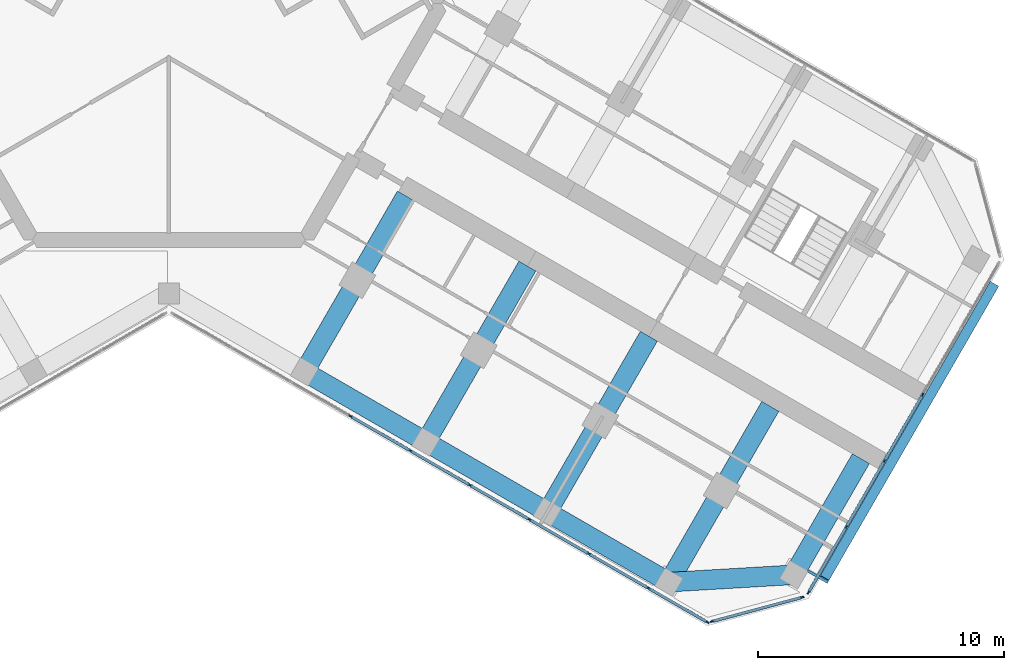
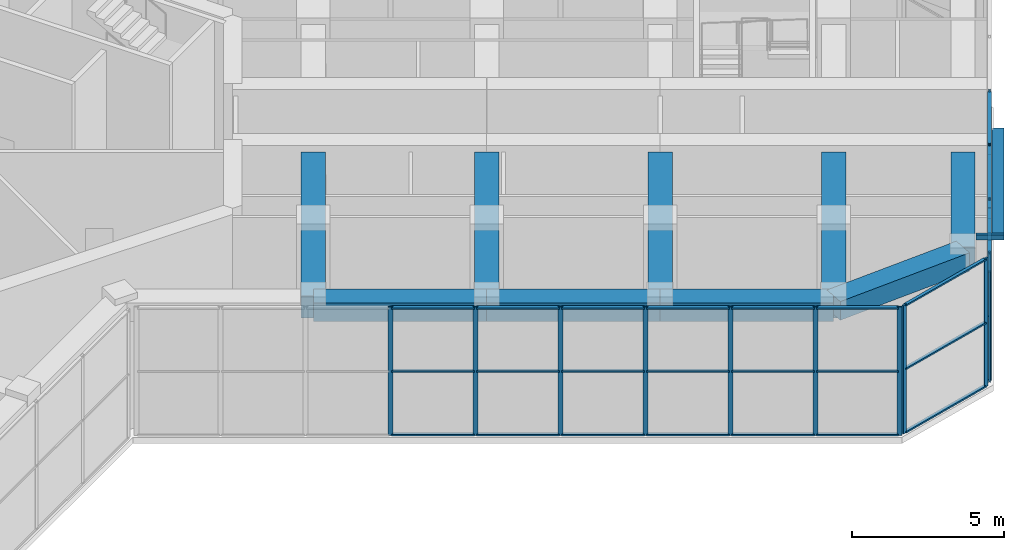
# One storey, part 5 of 16: 45 members, 9 beams, 3 elements without a shape of their own.
"""IFC4 building model written with IfcOpenShell, lengths in metres."""

from ifc_helpers import new_model, si_unit, direction, frame, origin, origin_2d, place, context, subcontext, project, spatial, rectangle, hollow_rectangle, extrude, material, material_profile, profile_set, type_object, element, aggregate, save


model = new_model("IFC4")

# Units and contexts
model_context = context("Model", 3, precision=1e-05, world=origin(), true_north=direction((0.0, 1.0)))
body_context = subcontext(model_context, "Body", "Model", "MODEL_VIEW")
ifc_project = project(units=[si_unit("LENGTHUNIT", "METRE"), si_unit("AREAUNIT", "SQUARE_METRE"), si_unit("VOLUMEUNIT", "CUBIC_METRE"), si_unit("PLANEANGLEUNIT", "RADIAN"), si_unit("MASSUNIT", "GRAM", prefix="KILO")], contexts=[model_context])

# Site, building, storey
site_placement = place(None, origin())
site = spatial("IfcSite", under=ifc_project, at=site_placement, CompositionType="ELEMENT")
building_placement = place(site_placement, origin())
building = spatial("IfcBuilding", under=site, at=building_placement, Name="Kosmar Iwan School Tower", CompositionType="ELEMENT")
storey_placement = place(building_placement, frame((0.0, 0.0, 226.199951171875)))
storey = spatial("IfcBuildingStorey", under=building, at=storey_placement, Name="L57", CompositionType="ELEMENT", Elevation=226.199951171875)

# Members
ifc_material_1 = material(Name="Black anodised aluminium", Category="aluminium")
ifc_material_profile_1 = material_profile(ifc_material_1, rectangle(XDim=0.10009765625, YDim=0.39990234375, at=origin_2d()), Name="FIN 100x400")
ifc_profile_set_1 = profile_set([ifc_material_profile_1], Name="Black anodised aluminium")
member_type_1 = type_object("IfcMemberType", Name="Diagonal fin 100x400", PredefinedType="USERDEFINED", material=ifc_profile_set_1)
member_1_placement = place(storey_placement, frame((33.54345703125, -11.40087890625, -0.14990234375), z_axis=(-0.465600718069, -0.806459003444, 0.364472011405), x_axis=(0.182233479836, 0.315643479142, 0.931214343157)))
element("IfcMember", 1, at=member_1_placement, inside=storey, type_object=member_type_1, Name="Diagonal fin L57-F01", ObjectType="FIN", PredefinedType="USERDEFINED", context=body_context, shape_type="SweptSolid", body=[
    extrude(rectangle(XDim=0.10009765625, YDim=0.39990234375, at=origin_2d()), origin(), (0.0, 0.0, 1.0), 14.815673828125),
])
ifc_material_2 = material(Name="Steel S355", Category="steel")
ifc_material_profile_2 = material_profile(ifc_material_2, hollow_rectangle(XDim=0.10009765625, YDim=0.199951171875, WallThickness=0.008056640625, at=origin_2d()), Name="RHS 200x100x8")
ifc_profile_set_2 = profile_set([ifc_material_profile_2], Name="Steel S355")
member_type_2 = type_object("IfcMemberType", Name="Fin bracket RHS 200x100", PredefinedType="USERDEFINED", material=ifc_profile_set_2)
member_2_placement = place(storey_placement, frame((25.97900390625, -23.052978515625, 5.275146484375), z_axis=(0.865943820382, -0.500141279983, 0.0), x_axis=(0.500141279983, 0.865943820382, 0.0)))
element("IfcMember", 2, at=member_2_placement, inside=storey, type_object=member_type_2, Name="Fin bracket L58", ObjectType="FIN BRACKET", PredefinedType="USERDEFINED", context=body_context, shape_type="SweptSolid", body=[
    extrude(hollow_rectangle(XDim=0.10009765625, YDim=0.199951171875, WallThickness=0.008056640625, at=origin_2d()), origin(), (0.0, 0.0, 1.0), 0.925048828125),
])

# Curtain wall, members
ifc_material_3 = material(Name="Dark glass in black aluminium frame", Category="aluminium")
curtain_wall_type_1 = type_object("IfcCurtainWallType", Name="Chamfer curtain wall dark glass", PredefinedType="USERDEFINED", material=ifc_material_3)
curtain_wall_1_placement = place(storey_placement, origin())
curtain_wall_1 = element("IfcCurtainWall", 3, at=curtain_wall_1_placement, inside=storey, type_object=curtain_wall_type_1, Name="Curtain wall L57-F00", ObjectType="FACETED CURTAIN WALL", PredefinedType="USERDEFINED")
ifc_material_4 = material(Name="Black anodised aluminium", Category="aluminium")
ifc_material_profile_3 = material_profile(ifc_material_4, rectangle(XDim=0.06005859375, YDim=0.159912109375, at=origin_2d()), Name="MULLION 60x160")
ifc_profile_set_3 = profile_set([ifc_material_profile_3], Name="Black anodised aluminium")
member_type_3 = type_object("IfcMemberType", Name="Mullion 60x160", PredefinedType="MULLION", material=ifc_profile_set_3)
member_3_placement = place(storey_placement, frame((22.0830078125, -25.102294921875, 0.0), z_axis=(0.0, 0.0, 1.0), x_axis=(-0.258818861462, 0.965925875495, 0.0)))
member_3 = element("IfcMember", 4, at=member_3_placement, type_object=member_type_3, Name="CW2 mullion 1", PredefinedType="MULLION", context=body_context, shape_type="SweptSolid", body=[
    extrude(rectangle(XDim=0.06005859375, YDim=0.159912109375, at=origin_2d()), origin(), (0.0, 0.0, 1.0), 5.150146484375),
])
member_4_placement = place(storey_placement, frame((25.733154296875, -24.124267578125, 0.0), z_axis=(0.0, 0.0, 1.0), x_axis=(-0.258818861462, 0.965925875495, 0.0)))
member_4 = element("IfcMember", 5, at=member_4_placement, type_object=member_type_3, Name="CW2 mullion 2", PredefinedType="MULLION", context=body_context, shape_type="SweptSolid", body=[
    extrude(rectangle(XDim=0.06005859375, YDim=0.159912109375, at=origin_2d()), origin(), (0.0, 0.0, 1.0), 5.150146484375),
])

ifc_material_5 = material(Name="Dark glass in black aluminium frame", Category="aluminium")
curtain_wall_type_2 = type_object("IfcCurtainWallType", Name="Tower curtain wall dark glass", PredefinedType="USERDEFINED", material=ifc_material_5)
curtain_wall_2_placement = place(storey_placement, origin())
curtain_wall_2 = element("IfcCurtainWall", 6, at=curtain_wall_2_placement, inside=storey, type_object=curtain_wall_type_2, Name="Curtain wall L57-F01", ObjectType="UNITISED CURTAIN WALL", PredefinedType="USERDEFINED")
member_5_placement = place(storey_placement, frame((25.9970703125, -23.921630859375, 0.0), z_axis=(0.0, 0.0, 1.0), x_axis=(-0.866025405329, 0.499999997325, 0.0)))
member_5 = element("IfcMember", 7, at=member_5_placement, type_object=member_type_3, Name="CW1 mullion 1", PredefinedType="MULLION", context=body_context, shape_type="SweptSolid", body=[
    extrude(rectangle(XDim=0.06005859375, YDim=0.159912109375, at=origin_2d()), origin(), (0.0, 0.0, 1.0), 5.150146484375),
])
member_6_placement = place(storey_placement, frame((27.53173828125, -21.263671875, 0.0), z_axis=(0.0, 0.0, 1.0), x_axis=(-0.866025405329, 0.499999997325, 0.0)))
member_6 = element("IfcMember", 8, at=member_6_placement, type_object=member_type_3, Name="CW1 mullion 2", PredefinedType="MULLION", context=body_context, shape_type="SweptSolid", body=[
    extrude(rectangle(XDim=0.06005859375, YDim=0.159912109375, at=origin_2d()), origin(), (0.0, 0.0, 1.0), 5.150146484375),
])
member_7_placement = place(storey_placement, frame((29.081298828125, -18.57958984375, 0.0), z_axis=(0.0, 0.0, 1.0), x_axis=(-0.866025405329, 0.499999997325, 0.0)))
member_7 = element("IfcMember", 9, at=member_7_placement, type_object=member_type_3, Name="CW1 mullion 3", PredefinedType="MULLION", context=body_context, shape_type="SweptSolid", body=[
    extrude(rectangle(XDim=0.06005859375, YDim=0.159912109375, at=origin_2d()), origin(), (0.0, 0.0, 1.0), 5.150146484375),
])
member_8_placement = place(storey_placement, frame((30.631103515625, -15.8955078125, 0.0), z_axis=(0.0, 0.0, 1.0), x_axis=(-0.866025405329, 0.499999997325, 0.0)))
member_8 = element("IfcMember", 10, at=member_8_placement, type_object=member_type_3, Name="CW1 mullion 4", PredefinedType="MULLION", context=body_context, shape_type="SweptSolid", body=[
    extrude(rectangle(XDim=0.06005859375, YDim=0.159912109375, at=origin_2d()), origin(), (0.0, 0.0, 1.0), 5.150146484375),
])

ifc_material_6 = material(Name="Dark glass in black aluminium frame", Category="aluminium")
curtain_wall_type_3 = type_object("IfcCurtainWallType", Name="Winter garden curtain wall", PredefinedType="USERDEFINED", material=ifc_material_6)
curtain_wall_3_placement = place(storey_placement, origin())
curtain_wall_3 = element("IfcCurtainWall", 11, at=curtain_wall_3_placement, inside=storey, type_object=curtain_wall_type_3, Name="Curtain wall L57-F14", ObjectType="WINTER GARDEN CURTAIN WALL", PredefinedType="USERDEFINED")
member_9_placement = place(storey_placement, frame((7.39501953125, -16.76904296875, 0.0), z_axis=(0.0, 0.0, 1.0), x_axis=(0.500000014888, 0.866025395189, 0.0)))
member_9 = element("IfcMember", 12, at=member_9_placement, type_object=member_type_3, Name="CW7 mullion 4", PredefinedType="MULLION", context=body_context, shape_type="SweptSolid", body=[
    extrude(rectangle(XDim=0.06005859375, YDim=0.159912109375, at=origin_2d()), origin(), (0.0, 0.0, 1.0), 5.150146484375),
])
member_10_placement = place(storey_placement, frame((9.81396484375, -18.165771484375, 0.0), z_axis=(0.0, 0.0, 1.0), x_axis=(0.500000014888, 0.866025395189, 0.0)))
member_10 = element("IfcMember", 13, at=member_10_placement, type_object=member_type_3, Name="CW7 mullion 5", PredefinedType="MULLION", context=body_context, shape_type="SweptSolid", body=[
    extrude(rectangle(XDim=0.06005859375, YDim=0.159912109375, at=origin_2d()), origin(), (0.0, 0.0, 1.0), 5.150146484375),
])
member_11_placement = place(storey_placement, frame((12.23291015625, -19.562255859375, 0.0), z_axis=(0.0, 0.0, 1.0), x_axis=(0.500000014888, 0.866025395189, 0.0)))
member_11 = element("IfcMember", 14, at=member_11_placement, type_object=member_type_3, Name="CW7 mullion 6", PredefinedType="MULLION", context=body_context, shape_type="SweptSolid", body=[
    extrude(rectangle(XDim=0.06005859375, YDim=0.159912109375, at=origin_2d()), origin(), (0.0, 0.0, 1.0), 5.150146484375),
])
member_12_placement = place(storey_placement, frame((14.652099609375, -20.958984375, 0.0), z_axis=(0.0, 0.0, 1.0), x_axis=(0.500000014888, 0.866025395189, 0.0)))
member_12 = element("IfcMember", 15, at=member_12_placement, type_object=member_type_3, Name="CW7 mullion 7", PredefinedType="MULLION", context=body_context, shape_type="SweptSolid", body=[
    extrude(rectangle(XDim=0.06005859375, YDim=0.159912109375, at=origin_2d()), origin(), (0.0, 0.0, 1.0), 5.150146484375),
])
member_13_placement = place(storey_placement, frame((17.071044921875, -22.35546875, 0.0), z_axis=(0.0, 0.0, 1.0), x_axis=(0.500000014888, 0.866025395189, 0.0)))
member_13 = element("IfcMember", 16, at=member_13_placement, type_object=member_type_3, Name="CW7 mullion 8", PredefinedType="MULLION", context=body_context, shape_type="SweptSolid", body=[
    extrude(rectangle(XDim=0.06005859375, YDim=0.159912109375, at=origin_2d()), origin(), (0.0, 0.0, 1.0), 5.150146484375),
])
member_14_placement = place(storey_placement, frame((19.489990234375, -23.752197265625, 0.0), z_axis=(0.0, 0.0, 1.0), x_axis=(0.500000014888, 0.866025395189, 0.0)))
member_14 = element("IfcMember", 17, at=member_14_placement, type_object=member_type_3, Name="CW7 mullion 9", PredefinedType="MULLION", context=body_context, shape_type="SweptSolid", body=[
    extrude(rectangle(XDim=0.06005859375, YDim=0.159912109375, at=origin_2d()), origin(), (0.0, 0.0, 1.0), 5.150146484375),
])
member_15_placement = place(storey_placement, frame((21.883056640625, -25.1337890625, 0.0), z_axis=(0.0, 0.0, 1.0), x_axis=(0.500000014888, 0.866025395189, 0.0)))
member_15 = element("IfcMember", 18, at=member_15_placement, type_object=member_type_3, Name="CW7 mullion 10", PredefinedType="MULLION", context=body_context, shape_type="SweptSolid", body=[
    extrude(rectangle(XDim=0.06005859375, YDim=0.159912109375, at=origin_2d()), origin(), (0.0, 0.0, 1.0), 5.150146484375),
])

# Beams
ifc_material_7 = material(Name="Concrete C50/60", Category="concrete")
ifc_material_profile_4 = material_profile(ifc_material_7, rectangle(XDim=0.800048828125, YDim=0.75, at=origin_2d()), Name="RC 800x750")
ifc_profile_set_4 = profile_set([ifc_material_profile_4], Name="Concrete C50/60")
beam_type_1 = type_object("IfcBeamType", Name="RC edge beam 800x750", PredefinedType="BEAM", material=ifc_profile_set_4)
beam_1_placement = place(storey_placement, frame((5.5087890625, -14.95849609375, 4.775146484375), z_axis=(0.866033658841, -0.49998570155, 0.0), x_axis=(0.49998570155, 0.866033658841, 0.0)))
element("IfcBeam", 19, at=beam_1_placement, inside=storey, type_object=beam_type_1, Name="Edge beam CR2", PredefinedType="BEAM", context=body_context, shape_type="SweptSolid", body=[
    extrude(rectangle(XDim=0.800048828125, YDim=0.75, at=origin_2d()), origin(), (0.0, 0.0, 1.0), 5.699951171875),
])
beam_2_placement = place(storey_placement, frame((10.445068359375, -17.808349609375, 4.775146484375), z_axis=(0.866025820012, -0.499999279071, 0.0), x_axis=(0.499999279071, 0.866025820012, 0.0)))
element("IfcBeam", 20, at=beam_2_placement, inside=storey, type_object=beam_type_1, Name="Edge beam CR3", PredefinedType="BEAM", context=body_context, shape_type="SweptSolid", body=[
    extrude(rectangle(XDim=0.800048828125, YDim=0.75, at=origin_2d()), origin(), (0.0, 0.0, 1.0), 5.7001953125),
])
beam_3_placement = place(storey_placement, frame((15.381591796875, -20.658447265625, 4.775146484375), z_axis=(0.866015111908, -0.50001782563, 0.0), x_axis=(0.50001782563, 0.866015111908, 0.0)))
element("IfcBeam", 21, at=beam_3_placement, inside=storey, type_object=beam_type_1, Name="Edge beam CR4", PredefinedType="BEAM", context=body_context, shape_type="SweptSolid", body=[
    extrude(rectangle(XDim=0.800048828125, YDim=0.75, at=origin_2d()), origin(), (0.0, 0.0, 1.0), 5.699951171875),
])
ifc_material_8 = material(Name="Concrete C50/60", Category="concrete")
ifc_material_profile_5 = material_profile(ifc_material_8, rectangle(XDim=0.800048828125, YDim=0.75, at=origin_2d()), Name="RC 800x750")
ifc_profile_set_5 = profile_set([ifc_material_profile_5], Name="Concrete C50/60")
beam_type_2 = type_object("IfcBeamType", Name="RC tip beam 800x750", PredefinedType="BEAM", material=ifc_profile_set_5)
beam_4_placement = place(storey_placement, frame((20.31787109375, -23.508544921875, 4.775146484375), z_axis=(0.998260616478, 0.058955420358, 0.0), x_axis=(-0.058955420358, 0.998260616478, 0.0)))
element("IfcBeam", 22, at=beam_4_placement, inside=storey, type_object=beam_type_2, Name="Tip beam CR", PredefinedType="BEAM", context=body_context, shape_type="SweptSolid", body=[
    extrude(rectangle(XDim=0.800048828125, YDim=0.75, at=origin_2d()), origin(), (0.0, 0.0, 1.0), 5.08935546875),
])
beam_5_placement = place(storey_placement, frame((25.3984375, -23.20849609375, 4.775146484375), z_axis=(0.500022328685, 0.866012511928, 0.0), x_axis=(-0.866012511928, 0.500022328685, 0.0)))
element("IfcBeam", 23, at=beam_5_placement, inside=storey, type_object=beam_type_2, Name="Tip beam CR to corridor wall", PredefinedType="BEAM", context=body_context, shape_type="SweptSolid", body=[
    extrude(rectangle(XDim=0.800048828125, YDim=0.75, at=origin_2d()), origin(), (0.0, 0.0, 1.0), 5.449951171875),
])
ifc_material_9 = material(Name="Concrete C50/60", Category="concrete")
ifc_material_profile_6 = material_profile(ifc_material_9, rectangle(XDim=0.800048828125, YDim=0.89990234375, at=origin_2d()), Name="RC 800x900")
ifc_profile_set_6 = profile_set([ifc_material_profile_6], Name="Concrete C50/60")
beam_type_3 = type_object("IfcBeamType", Name="RC transverse beam 800x900", PredefinedType="BEAM", material=ifc_profile_set_6)
beam_6_placement = place(storey_placement, frame((5.5087890625, -14.95849609375, 4.699951171875), z_axis=(0.499996545922, 0.866027397988, 0.0), x_axis=(-0.866027397988, 0.499996545922, 0.0)))
element("IfcBeam", 24, at=beam_6_placement, inside=storey, type_object=beam_type_3, Name="Transverse beam CR1", PredefinedType="BEAM", context=body_context, shape_type="SweptSolid", body=[
    extrude(rectangle(XDim=0.800048828125, YDim=0.89990234375, at=origin_2d()), origin(), (0.0, 0.0, 1.0), 8.25),
])
beam_7_placement = place(storey_placement, frame((10.445068359375, -17.808349609375, 4.699951171875), z_axis=(0.500009360108, 0.866019999656, 0.0), x_axis=(-0.866019999656, 0.500009360108, 0.0)))
element("IfcBeam", 25, at=beam_7_placement, inside=storey, type_object=beam_type_3, Name="Transverse beam CR2", PredefinedType="BEAM", context=body_context, shape_type="SweptSolid", body=[
    extrude(rectangle(XDim=0.800048828125, YDim=0.89990234375, at=origin_2d()), origin(), (0.0, 0.0, 1.0), 8.249755859375),
])
for number, where, z_axis, x_axis, name in (
    (26, (15.381591796875, -20.658447265625, 4.699951171875), (0.499996545922, 0.866027397988, 0.0), (-0.866027397988, 0.499996545922, 0.0), "Transverse beam CR3"),
    (27, (20.31787109375, -23.508544921875, 4.699951171875), (0.499996545922, 0.866027397988, 0.0), (-0.866027397988, 0.499996545922, 0.0), "Transverse beam CR4"),
):
    element("IfcBeam", number, at=place(storey_placement, frame(where, z_axis=z_axis, x_axis=x_axis)), inside=storey, type_object=beam_type_3, Name=name, PredefinedType="BEAM", context=body_context, shape_type="SweptSolid", body=[
        extrude(rectangle(XDim=0.800048828125, YDim=0.89990234375, at=origin_2d()), origin(), (0.0, 0.0, 1.0), 8.25),
    ])

# Member
ifc_material_10 = material(Name="Black anodised aluminium", Category="aluminium")
ifc_material_profile_7 = material_profile(ifc_material_10, rectangle(XDim=0.1201171875, YDim=0.06005859375, at=origin_2d()), Name="TRANSOM 60x120")
ifc_profile_set_7 = profile_set([ifc_material_profile_7], Name="Black anodised aluminium")
member_type_4 = type_object("IfcMemberType", Name="Transom 60x120", PredefinedType="USERDEFINED", material=ifc_profile_set_7)
member_16_placement = place(storey_placement, frame((22.11181640625, -25.094482421875, 0.030029296875), z_axis=(0.965923731726, 0.258826861991, 0.0), x_axis=(-0.258826861991, 0.965923731726, 0.0)))
member_16 = element("IfcMember", 28, at=member_16_placement, type_object=member_type_4, Name="CW2 transom 1.1", ObjectType="TRANSOM", PredefinedType="USERDEFINED", context=body_context, shape_type="SweptSolid", body=[
    extrude(rectangle(XDim=0.1201171875, YDim=0.06005859375, at=origin_2d()), origin(), (0.0, 0.0, 1.0), 3.71923828125),
])

member_17_placement = place(storey_placement, frame((22.11181640625, -25.094482421875, 2.574951171875), z_axis=(0.965923731726, 0.258826861991, 0.0), x_axis=(-0.258826861991, 0.965923731726, 0.0)))
member_17 = element("IfcMember", 29, at=member_17_placement, type_object=member_type_4, Name="CW2 transom 1.2", ObjectType="TRANSOM", PredefinedType="USERDEFINED", context=body_context, shape_type="SweptSolid", body=[
    extrude(rectangle(XDim=0.1201171875, YDim=0.06005859375, at=origin_2d()), origin(), (0.0, 0.0, 1.0), 3.71923828125),
])

member_18_placement = place(storey_placement, frame((22.11181640625, -25.094482421875, 5.1201171875), z_axis=(0.965923731726, 0.258826861991, 0.0), x_axis=(-0.258826861991, 0.965923731726, 0.0)))
member_18 = element("IfcMember", 30, at=member_18_placement, type_object=member_type_4, Name="CW2 transom 1.3", ObjectType="TRANSOM", PredefinedType="USERDEFINED", context=body_context, shape_type="SweptSolid", body=[
    extrude(rectangle(XDim=0.1201171875, YDim=0.06005859375, at=origin_2d()), origin(), (0.0, 0.0, 1.0), 3.71923828125),
])

aggregate(curtain_wall_1, [member_3, member_4, member_16, member_17, member_18])

member_19_placement = place(storey_placement, frame((26.01220703125, -23.895751953125, 0.030029296875), z_axis=(0.499986971506, 0.866032925658, 0.0), x_axis=(-0.866032925658, 0.499986971506, 0.0)))
member_19 = element("IfcMember", 31, at=member_19_placement, type_object=member_type_4, Name="CW1 transom 1.1", ObjectType="TRANSOM", PredefinedType="USERDEFINED", context=body_context, shape_type="SweptSolid", body=[
    extrude(rectangle(XDim=0.1201171875, YDim=0.06005859375, at=origin_2d()), origin(), (0.0, 0.0, 1.0), 3.00927734375),
])

member_20_placement = place(storey_placement, frame((26.01220703125, -23.895751953125, 2.574951171875), z_axis=(0.499986971506, 0.866032925658, 0.0), x_axis=(-0.866032925658, 0.499986971506, 0.0)))
member_20 = element("IfcMember", 32, at=member_20_placement, type_object=member_type_4, Name="CW1 transom 1.2", ObjectType="TRANSOM", PredefinedType="USERDEFINED", context=body_context, shape_type="SweptSolid", body=[
    extrude(rectangle(XDim=0.1201171875, YDim=0.06005859375, at=origin_2d()), origin(), (0.0, 0.0, 1.0), 3.00927734375),
])

member_21_placement = place(storey_placement, frame((26.01220703125, -23.895751953125, 5.1201171875), z_axis=(0.499986971506, 0.866032925658, 0.0), x_axis=(-0.866032925658, 0.499986971506, 0.0)))
member_21 = element("IfcMember", 33, at=member_21_placement, type_object=member_type_4, Name="CW1 transom 1.3", ObjectType="TRANSOM", PredefinedType="USERDEFINED", context=body_context, shape_type="SweptSolid", body=[
    extrude(rectangle(XDim=0.1201171875, YDim=0.06005859375, at=origin_2d()), origin(), (0.0, 0.0, 1.0), 3.00927734375),
])

member_22_placement = place(storey_placement, frame((27.546875, -21.237548828125, 0.030029296875), z_axis=(0.499975102327, 0.866039777986, 0.0), x_axis=(-0.866039777986, 0.499975102327, 0.0)))
member_22 = element("IfcMember", 34, at=member_22_placement, type_object=member_type_4, Name="CW1 transom 2.1", ObjectType="TRANSOM", PredefinedType="USERDEFINED", context=body_context, shape_type="SweptSolid", body=[
    extrude(rectangle(XDim=0.1201171875, YDim=0.06005859375, at=origin_2d()), origin(), (0.0, 0.0, 1.0), 3.039306640625),
])

member_23_placement = place(storey_placement, frame((27.546875, -21.237548828125, 2.574951171875), z_axis=(0.499975102327, 0.866039777986, 0.0), x_axis=(-0.866039777986, 0.499975102327, 0.0)))
member_23 = element("IfcMember", 35, at=member_23_placement, type_object=member_type_4, Name="CW1 transom 2.2", ObjectType="TRANSOM", PredefinedType="USERDEFINED", context=body_context, shape_type="SweptSolid", body=[
    extrude(rectangle(XDim=0.1201171875, YDim=0.06005859375, at=origin_2d()), origin(), (0.0, 0.0, 1.0), 3.039306640625),
])

member_24_placement = place(storey_placement, frame((27.546875, -21.237548828125, 5.1201171875), z_axis=(0.499975102327, 0.866039777986, 0.0), x_axis=(-0.866039777986, 0.499975102327, 0.0)))
member_24 = element("IfcMember", 36, at=member_24_placement, type_object=member_type_4, Name="CW1 transom 2.3", ObjectType="TRANSOM", PredefinedType="USERDEFINED", context=body_context, shape_type="SweptSolid", body=[
    extrude(rectangle(XDim=0.1201171875, YDim=0.06005859375, at=origin_2d()), origin(), (0.0, 0.0, 1.0), 3.039306640625),
])

member_25_placement = place(storey_placement, frame((29.096435546875, -18.553466796875, 0.030029296875), z_axis=(0.499975102327, 0.866039777986, 0.0), x_axis=(-0.866039777986, 0.499975102327, 0.0)))
member_25 = element("IfcMember", 37, at=member_25_placement, type_object=member_type_4, Name="CW1 transom 3.1", ObjectType="TRANSOM", PredefinedType="USERDEFINED", context=body_context, shape_type="SweptSolid", body=[
    extrude(rectangle(XDim=0.1201171875, YDim=0.06005859375, at=origin_2d()), origin(), (0.0, 0.0, 1.0), 3.039306640625),
])

member_26_placement = place(storey_placement, frame((29.096435546875, -18.553466796875, 2.574951171875), z_axis=(0.499975102327, 0.866039777986, 0.0), x_axis=(-0.866039777986, 0.499975102327, 0.0)))
member_26 = element("IfcMember", 38, at=member_26_placement, type_object=member_type_4, Name="CW1 transom 3.2", ObjectType="TRANSOM", PredefinedType="USERDEFINED", context=body_context, shape_type="SweptSolid", body=[
    extrude(rectangle(XDim=0.1201171875, YDim=0.06005859375, at=origin_2d()), origin(), (0.0, 0.0, 1.0), 3.039306640625),
])

member_27_placement = place(storey_placement, frame((29.096435546875, -18.553466796875, 5.1201171875), z_axis=(0.499975102327, 0.866039777986, 0.0), x_axis=(-0.866039777986, 0.499975102327, 0.0)))
member_27 = element("IfcMember", 39, at=member_27_placement, type_object=member_type_4, Name="CW1 transom 3.3", ObjectType="TRANSOM", PredefinedType="USERDEFINED", context=body_context, shape_type="SweptSolid", body=[
    extrude(rectangle(XDim=0.1201171875, YDim=0.06005859375, at=origin_2d()), origin(), (0.0, 0.0, 1.0), 3.039306640625),
])

aggregate(curtain_wall_2, [member_5, member_6, member_7, member_8, member_19, member_20, member_21, member_22, member_23, member_24, member_25, member_26, member_27])

member_28_placement = place(storey_placement, frame((7.4208984375, -16.7841796875, 0.030029296875), z_axis=(0.866041295585, -0.499972473583, 0.0), x_axis=(0.499972473583, 0.866041295585, 0.0)))
member_28 = element("IfcMember", 40, at=member_28_placement, type_object=member_type_4, Name="CW7 transom 4.1", ObjectType="TRANSOM", PredefinedType="USERDEFINED", context=body_context, shape_type="SweptSolid", body=[
    extrude(rectangle(XDim=0.1201171875, YDim=0.06005859375, at=origin_2d()), origin(), (0.0, 0.0, 1.0), 2.733154296875),
])

member_29_placement = place(storey_placement, frame((7.4208984375, -16.7841796875, 2.574951171875), z_axis=(0.866041295585, -0.499972473583, 0.0), x_axis=(0.499972473583, 0.866041295585, 0.0)))
member_29 = element("IfcMember", 41, at=member_29_placement, type_object=member_type_4, Name="CW7 transom 4.2", ObjectType="TRANSOM", PredefinedType="USERDEFINED", context=body_context, shape_type="SweptSolid", body=[
    extrude(rectangle(XDim=0.1201171875, YDim=0.06005859375, at=origin_2d()), origin(), (0.0, 0.0, 1.0), 2.733154296875),
])

member_30_placement = place(storey_placement, frame((7.4208984375, -16.7841796875, 5.1201171875), z_axis=(0.866041295585, -0.499972473583, 0.0), x_axis=(0.499972473583, 0.866041295585, 0.0)))
member_30 = element("IfcMember", 42, at=member_30_placement, type_object=member_type_4, Name="CW7 transom 4.3", ObjectType="TRANSOM", PredefinedType="USERDEFINED", context=body_context, shape_type="SweptSolid", body=[
    extrude(rectangle(XDim=0.1201171875, YDim=0.06005859375, at=origin_2d()), origin(), (0.0, 0.0, 1.0), 2.733154296875),
])

member_31_placement = place(storey_placement, frame((9.83984375, -18.1806640625, 0.030029296875), z_axis=(0.8660249478, -0.500000789788, 0.0), x_axis=(0.500000789788, 0.8660249478, 0.0)))
member_31 = element("IfcMember", 43, at=member_31_placement, type_object=member_type_4, Name="CW7 transom 5.1", ObjectType="TRANSOM", PredefinedType="USERDEFINED", context=body_context, shape_type="SweptSolid", body=[
    extrude(rectangle(XDim=0.1201171875, YDim=0.06005859375, at=origin_2d()), origin(), (0.0, 0.0, 1.0), 2.7333984375),
])

member_32_placement = place(storey_placement, frame((9.83984375, -18.1806640625, 2.574951171875), z_axis=(0.8660249478, -0.500000789788, 0.0), x_axis=(0.500000789788, 0.8660249478, 0.0)))
member_32 = element("IfcMember", 44, at=member_32_placement, type_object=member_type_4, Name="CW7 transom 5.2", ObjectType="TRANSOM", PredefinedType="USERDEFINED", context=body_context, shape_type="SweptSolid", body=[
    extrude(rectangle(XDim=0.1201171875, YDim=0.06005859375, at=origin_2d()), origin(), (0.0, 0.0, 1.0), 2.7333984375),
])

member_33_placement = place(storey_placement, frame((9.83984375, -18.1806640625, 5.1201171875), z_axis=(0.8660249478, -0.500000789788, 0.0), x_axis=(0.500000789788, 0.8660249478, 0.0)))
member_33 = element("IfcMember", 45, at=member_33_placement, type_object=member_type_4, Name="CW7 transom 5.3", ObjectType="TRANSOM", PredefinedType="USERDEFINED", context=body_context, shape_type="SweptSolid", body=[
    extrude(rectangle(XDim=0.1201171875, YDim=0.06005859375, at=origin_2d()), origin(), (0.0, 0.0, 1.0), 2.7333984375),
])

member_34_placement = place(storey_placement, frame((12.259033203125, -19.577392578125, 0.030029296875), z_axis=(0.866041295585, -0.499972473583, 0.0), x_axis=(0.499972473583, 0.866041295585, 0.0)))
member_34 = element("IfcMember", 46, at=member_34_placement, type_object=member_type_4, Name="CW7 transom 6.1", ObjectType="TRANSOM", PredefinedType="USERDEFINED", context=body_context, shape_type="SweptSolid", body=[
    extrude(rectangle(XDim=0.1201171875, YDim=0.06005859375, at=origin_2d()), origin(), (0.0, 0.0, 1.0), 2.733154296875),
])

member_35_placement = place(storey_placement, frame((12.259033203125, -19.577392578125, 2.574951171875), z_axis=(0.866041295585, -0.499972473583, 0.0), x_axis=(0.499972473583, 0.866041295585, 0.0)))
member_35 = element("IfcMember", 47, at=member_35_placement, type_object=member_type_4, Name="CW7 transom 6.2", ObjectType="TRANSOM", PredefinedType="USERDEFINED", context=body_context, shape_type="SweptSolid", body=[
    extrude(rectangle(XDim=0.1201171875, YDim=0.06005859375, at=origin_2d()), origin(), (0.0, 0.0, 1.0), 2.733154296875),
])

member_36_placement = place(storey_placement, frame((12.259033203125, -19.577392578125, 5.1201171875), z_axis=(0.866041295585, -0.499972473583, 0.0), x_axis=(0.499972473583, 0.866041295585, 0.0)))
member_36 = element("IfcMember", 48, at=member_36_placement, type_object=member_type_4, Name="CW7 transom 6.3", ObjectType="TRANSOM", PredefinedType="USERDEFINED", context=body_context, shape_type="SweptSolid", body=[
    extrude(rectangle(XDim=0.1201171875, YDim=0.06005859375, at=origin_2d()), origin(), (0.0, 0.0, 1.0), 2.733154296875),
])

member_37_placement = place(storey_placement, frame((14.677978515625, -20.973876953125, 0.030029296875), z_axis=(0.866002615699, -0.500039468044, 0.0), x_axis=(0.500039468044, 0.866002615699, 0.0)))
member_37 = element("IfcMember", 49, at=member_37_placement, type_object=member_type_4, Name="CW7 transom 7.1", ObjectType="TRANSOM", PredefinedType="USERDEFINED", context=body_context, shape_type="SweptSolid", body=[
    extrude(rectangle(XDim=0.1201171875, YDim=0.06005859375, at=origin_2d()), origin(), (0.0, 0.0, 1.0), 2.733154296875),
])

member_38_placement = place(storey_placement, frame((14.677978515625, -20.973876953125, 2.574951171875), z_axis=(0.866002615699, -0.500039468044, 0.0), x_axis=(0.500039468044, 0.866002615699, 0.0)))
member_38 = element("IfcMember", 50, at=member_38_placement, type_object=member_type_4, Name="CW7 transom 7.2", ObjectType="TRANSOM", PredefinedType="USERDEFINED", context=body_context, shape_type="SweptSolid", body=[
    extrude(rectangle(XDim=0.1201171875, YDim=0.06005859375, at=origin_2d()), origin(), (0.0, 0.0, 1.0), 2.733154296875),
])

member_39_placement = place(storey_placement, frame((14.677978515625, -20.973876953125, 5.1201171875), z_axis=(0.866002615699, -0.500039468044, 0.0), x_axis=(0.500039468044, 0.866002615699, 0.0)))
member_39 = element("IfcMember", 51, at=member_39_placement, type_object=member_type_4, Name="CW7 transom 7.3", ObjectType="TRANSOM", PredefinedType="USERDEFINED", context=body_context, shape_type="SweptSolid", body=[
    extrude(rectangle(XDim=0.1201171875, YDim=0.06005859375, at=origin_2d()), origin(), (0.0, 0.0, 1.0), 2.733154296875),
])

member_40_placement = place(storey_placement, frame((17.096923828125, -22.37060546875, 0.030029296875), z_axis=(0.8660249478, -0.500000789788, 0.0), x_axis=(0.500000789788, 0.8660249478, 0.0)))
member_40 = element("IfcMember", 52, at=member_40_placement, type_object=member_type_4, Name="CW7 transom 8.1", ObjectType="TRANSOM", PredefinedType="USERDEFINED", context=body_context, shape_type="SweptSolid", body=[
    extrude(rectangle(XDim=0.1201171875, YDim=0.06005859375, at=origin_2d()), origin(), (0.0, 0.0, 1.0), 2.7333984375),
])

member_41_placement = place(storey_placement, frame((17.096923828125, -22.37060546875, 2.574951171875), z_axis=(0.8660249478, -0.500000789788, 0.0), x_axis=(0.500000789788, 0.8660249478, 0.0)))
member_41 = element("IfcMember", 53, at=member_41_placement, type_object=member_type_4, Name="CW7 transom 8.2", ObjectType="TRANSOM", PredefinedType="USERDEFINED", context=body_context, shape_type="SweptSolid", body=[
    extrude(rectangle(XDim=0.1201171875, YDim=0.06005859375, at=origin_2d()), origin(), (0.0, 0.0, 1.0), 2.7333984375),
])

member_42_placement = place(storey_placement, frame((17.096923828125, -22.37060546875, 5.1201171875), z_axis=(0.8660249478, -0.500000789788, 0.0), x_axis=(0.500000789788, 0.8660249478, 0.0)))
member_42 = element("IfcMember", 54, at=member_42_placement, type_object=member_type_4, Name="CW7 transom 8.3", ObjectType="TRANSOM", PredefinedType="USERDEFINED", context=body_context, shape_type="SweptSolid", body=[
    extrude(rectangle(XDim=0.1201171875, YDim=0.06005859375, at=origin_2d()), origin(), (0.0, 0.0, 1.0), 2.7333984375),
])

member_43_placement = place(storey_placement, frame((19.51611328125, -23.76708984375, 0.030029296875), z_axis=(0.865994576166, -0.500053391201, 0.0), x_axis=(0.500053391201, 0.865994576166, 0.0)))
member_43 = element("IfcMember", 55, at=member_43_placement, type_object=member_type_4, Name="CW7 transom 9.1", ObjectType="TRANSOM", PredefinedType="USERDEFINED", context=body_context, shape_type="SweptSolid", body=[
    extrude(rectangle(XDim=0.1201171875, YDim=0.06005859375, at=origin_2d()), origin(), (0.0, 0.0, 1.0), 2.703369140625),
])

member_44_placement = place(storey_placement, frame((19.51611328125, -23.76708984375, 2.574951171875), z_axis=(0.865994576166, -0.500053391201, 0.0), x_axis=(0.500053391201, 0.865994576166, 0.0)))
member_44 = element("IfcMember", 56, at=member_44_placement, type_object=member_type_4, Name="CW7 transom 9.2", ObjectType="TRANSOM", PredefinedType="USERDEFINED", context=body_context, shape_type="SweptSolid", body=[
    extrude(rectangle(XDim=0.1201171875, YDim=0.06005859375, at=origin_2d()), origin(), (0.0, 0.0, 1.0), 2.703369140625),
])

member_45_placement = place(storey_placement, frame((19.51611328125, -23.76708984375, 5.1201171875), z_axis=(0.865994576166, -0.500053391201, 0.0), x_axis=(0.500053391201, 0.865994576166, 0.0)))
member_45 = element("IfcMember", 57, at=member_45_placement, type_object=member_type_4, Name="CW7 transom 9.3", ObjectType="TRANSOM", PredefinedType="USERDEFINED", context=body_context, shape_type="SweptSolid", body=[
    extrude(rectangle(XDim=0.1201171875, YDim=0.06005859375, at=origin_2d()), origin(), (0.0, 0.0, 1.0), 2.703369140625),
])

aggregate(curtain_wall_3, [member_9, member_10, member_11, member_12, member_13, member_14, member_15, member_28, member_29, member_30, member_31, member_32, member_33, member_34, member_35, member_36, member_37, member_38, member_39, member_40, member_41, member_42, member_43, member_44, member_45])

save(model, "model.ifc")
